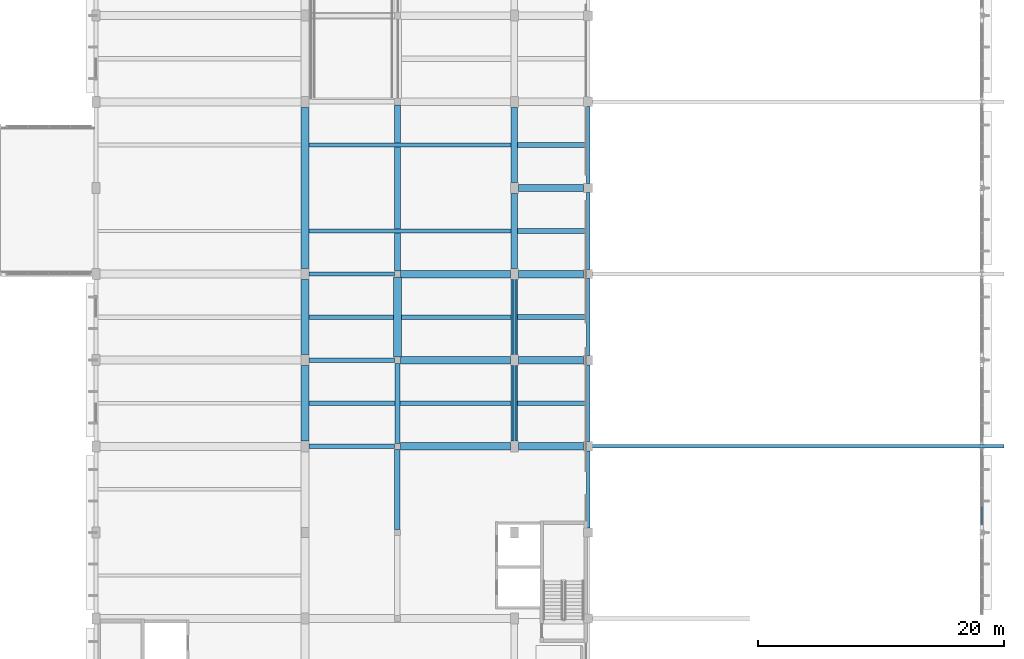
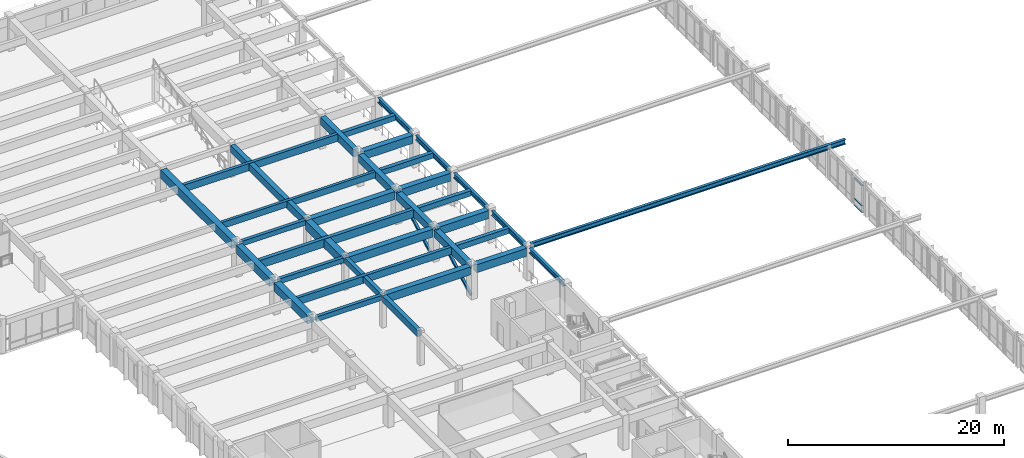
# One storey, part 34 of 98: 35 beams, 5 members, 1 element without a shape of its own.
"""IFC4 building model written with IfcOpenShell, lengths in metres."""

from ifc_helpers import new_model, si_unit, direction, frame, origin, origin_2d, place, context, subcontext, project, spatial, rectangle, i_section, extrude, material, material_profile, profile_set, type_object, element, aggregate, save


model = new_model("IFC4")

# Units and contexts
model_context = context("Model", 3, precision=1e-05, world=origin(), true_north=direction((0.0, 1.0)))
body_context = subcontext(model_context, "Body", "Model", "MODEL_VIEW")
ifc_project = project(units=[si_unit("LENGTHUNIT", "METRE"), si_unit("AREAUNIT", "SQUARE_METRE"), si_unit("VOLUMEUNIT", "CUBIC_METRE"), si_unit("PLANEANGLEUNIT", "RADIAN"), si_unit("MASSUNIT", "GRAM", prefix="KILO")], contexts=[model_context])

# Site, building, storey
site_placement = place(None, origin())
site = spatial("IfcSite", under=ifc_project, at=site_placement, CompositionType="ELEMENT")
building_placement = place(site_placement, origin())
building = spatial("IfcBuilding", under=site, at=building_placement, Name="Larkveld Mobility Hub", CompositionType="ELEMENT")
storey_placement = place(building_placement, frame((0.0, 0.0, 4.5)))
storey = spatial("IfcBuildingStorey", under=building, at=storey_placement, Name="L01", CompositionType="ELEMENT", Elevation=4.5)

# Beams
ifc_material_1 = material(Name="Precast concrete C50/60", Category="concrete")
ifc_material_profile_1 = material_profile(ifc_material_1, rectangle(XDim=0.300048828125, YDim=0.699951171875, at=origin_2d()), Name="PC DT 300x700")
ifc_profile_set_1 = profile_set([ifc_material_profile_1], Name="Precast concrete C50/60")
beam_type_1 = type_object("IfcBeamType", Name="BM-DT3070", PredefinedType="T_BEAM", material=ifc_profile_set_1)
beam_1_placement = place(storey_placement, frame((129.320068359375, 87.5, 3.320068359375), z_axis=(1.0, 0.0, 0.0), x_axis=(0.0, 1.0, 0.0)))
element("IfcBeam", 1, at=beam_1_placement, inside=storey, type_object=beam_type_1, Name="Precast Double-Tee Stem L01-1065", PredefinedType="T_BEAM", context=body_context, shape_type="SweptSolid", body=[
    extrude(rectangle(XDim=0.300048828125, YDim=0.699951171875, at=origin_2d()), origin(), (0.0, 0.0, 1.0), 16.409912109375),
])
ifc_material_profile_2 = material_profile(ifc_material_1, rectangle(XDim=0.340087890625, YDim=0.800048828125, at=origin_2d()), Name="PC DT 340x800")
ifc_profile_set_2 = profile_set([ifc_material_profile_2], Name="Precast concrete C50/60")
beam_type_2 = type_object("IfcBeamType", Name="BM-DT3480", PredefinedType="T_BEAM", material=ifc_profile_set_2)
for number, where, z_axis, x_axis, name in (
    (2, (129.320068359375, 73.5, 3.27001953125), (1.0, 0.0, 0.0), (0.0, 1.0, 0.0), "Precast Double-Tee Stem L01-1059"),
    (3, (129.320068359375, 94.5, 3.27001953125), (1.0, 0.0, 0.0), (0.0, 1.0, 0.0), "Precast Double-Tee Stem L01-1068"),
):
    element("IfcBeam", number, at=place(storey_placement, frame(where, z_axis=z_axis, x_axis=x_axis)), inside=storey, type_object=beam_type_2, Name=name, PredefinedType="T_BEAM", context=body_context, shape_type="SweptSolid", body=[
        extrude(rectangle(XDim=0.340087890625, YDim=0.800048828125, at=origin_2d()), origin(), (0.0, 0.0, 1.0), 16.409912109375),
    ])
ifc_material_profile_3 = material_profile(ifc_material_1, rectangle(XDim=0.3798828125, YDim=0.89990234375, at=origin_2d()), Name="PC DT 380x900")
ifc_profile_set_3 = profile_set([ifc_material_profile_3], Name="Precast concrete C50/60")
beam_type_3 = type_object("IfcBeamType", Name="BM-DT3890", PredefinedType="T_BEAM", material=ifc_profile_set_3)
beam_2_placement = place(storey_placement, frame((129.320068359375, 80.5, 3.219970703125), z_axis=(1.0, 0.0, 0.0), x_axis=(0.0, 1.0, 0.0)))
element("IfcBeam", 4, at=beam_2_placement, inside=storey, type_object=beam_type_3, Name="Precast Double-Tee Stem L01-1062", PredefinedType="T_BEAM", context=body_context, shape_type="SweptSolid", body=[
    extrude(rectangle(XDim=0.3798828125, YDim=0.89990234375, at=origin_2d()), origin(), (0.0, 0.0, 1.0), 16.409912109375),
])
ifc_material_profile_4 = material_profile(ifc_material_1, rectangle(XDim=0.64990234375, YDim=0.949951171875, at=origin_2d()), Name="PC ITB 650x950")
ifc_profile_set_4 = profile_set([ifc_material_profile_4], Name="Precast concrete C50/60")
beam_type_4 = type_object("IfcBeamType", Name="BM-ITB6595", PredefinedType="T_BEAM", material=ifc_profile_set_4)
for number, where, z_axis, x_axis, name in (
    (5, (129.0, 70.449951171875, 3.18505859375), (0.0, 1.0, 0.0), (-1.0, 0.0, 0.0), "Primary N-S Girder L01-0420"),
    (6, (129.0, 77.449951171875, 3.18505859375), (0.0, 1.0, 0.0), (-1.0, 0.0, 0.0), "Primary N-S Girder L01-0421"),
):
    element("IfcBeam", number, at=place(storey_placement, frame(where, z_axis=z_axis, x_axis=x_axis)), inside=storey, type_object=beam_type_4, Name=name, PredefinedType="T_BEAM", context=body_context, shape_type="SweptSolid", body=[
        extrude(rectangle(XDim=0.64990234375, YDim=0.949951171875, at=origin_2d()), origin(), (0.0, 0.0, 1.0), 6.10009765625),
    ])
beam_3_placement = place(storey_placement, frame((129.0, 84.449951171875, 3.18505859375), z_axis=(0.0, 1.0, 0.0), x_axis=(-1.0, 0.0, 0.0)))
element("IfcBeam", 7, at=beam_3_placement, inside=storey, type_object=beam_type_4, Name="Primary N-S Girder L01-0422", PredefinedType="T_BEAM", context=body_context, shape_type="SweptSolid", body=[
    extrude(rectangle(XDim=0.64990234375, YDim=0.949951171875, at=origin_2d()), origin(), (0.0, 0.0, 1.0), 13.10009765625),
])
ifc_material_2 = material(Name="Concrete C40/50", Category="concrete")
ifc_material_profile_5 = material_profile(ifc_material_2, rectangle(XDim=0.35009765625, YDim=0.550048828125, at=origin_2d()), Name="RC BM 350x550")
ifc_profile_set_5 = profile_set([ifc_material_profile_5], Name="Concrete C40/50")
beam_type_5 = type_object("IfcBeamType", Name="BM-RC3555", PredefinedType="BEAM", material=ifc_profile_set_5)
for number, where, z_axis, x_axis, name in (
    (8, (129.324951171875, 70.0, 3.385009765625), (1.0, 0.0, 0.0), (0.0, 1.0, 0.0), "Primary E-W Girder L01-0275"),
    (9, (129.324951171875, 77.0, 3.385009765625), (1.0, 0.0, 0.0), (0.0, 1.0, 0.0), "Primary E-W Girder L01-0279"),
    (10, (129.324951171875, 84.0, 3.385009765625), (1.0, 0.0, 0.0), (0.0, 1.0, 0.0), "Primary E-W Girder L01-0285"),
):
    element("IfcBeam", number, at=place(storey_placement, frame(where, z_axis=z_axis, x_axis=x_axis)), inside=storey, type_object=beam_type_5, Name=name, PredefinedType="BEAM", context=body_context, shape_type="SweptSolid", body=[
        extrude(rectangle(XDim=0.35009765625, YDim=0.550048828125, at=origin_2d()), origin(), (0.0, 0.0, 1.0), 6.925048828125),
    ])
ifc_material_profile_6 = material_profile(ifc_material_2, rectangle(XDim=0.39990234375, YDim=0.60009765625, at=origin_2d()), Name="RC BM 400x600")
ifc_profile_set_6 = profile_set([ifc_material_profile_6], Name="Concrete C40/50")
beam_type_6 = type_object("IfcBeamType", Name="BM-RC4060", PredefinedType="BEAM", material=ifc_profile_set_6)
beam_4_placement = place(storey_placement, frame((136.5, 70.25, 3.360107421875), z_axis=(0.0, 1.0, 0.0), x_axis=(-1.0, 0.0, 0.0)))
element("IfcBeam", 11, at=beam_4_placement, inside=storey, type_object=beam_type_6, Name="Primary N-S Girder L01-0429", PredefinedType="BEAM", context=body_context, shape_type="SweptSolid", body=[
    extrude(rectangle(XDim=0.39990234375, YDim=0.60009765625, at=origin_2d()), origin(), (0.0, 0.0, 1.0), 6.5),
])
for number, where, z_axis, x_axis, name in (
    (12, (146.27001953125, 73.5, 3.3701171875), (1.0, 0.0, 0.0), (0.0, 1.0, 0.0), "Concourse Spine Joist L01-1060"),
    (13, (146.27001953125, 80.5, 3.3701171875), (1.0, 0.0, 0.0), (0.0, 1.0, 0.0), "Concourse Spine Joist L01-1063"),
    (14, (146.27001953125, 87.5, 3.3701171875), (1.0, 0.0, 0.0), (0.0, 1.0, 0.0), "Concourse Spine Joist L01-1066"),
    (15, (146.27001953125, 94.5, 3.3701171875), (1.0, 0.0, 0.0), (0.0, 1.0, 0.0), "Concourse Spine Joist L01-1069"),
):
    element("IfcBeam", number, at=place(storey_placement, frame(where, z_axis=z_axis, x_axis=x_axis)), inside=storey, type_object=beam_type_6, Name=name, PredefinedType="BEAM", context=body_context, shape_type="SweptSolid", body=[
        extrude(rectangle(XDim=0.39990234375, YDim=0.60009765625, at=origin_2d()), origin(), (0.0, 0.0, 1.0), 5.5849609375),
    ])
ifc_material_profile_7 = material_profile(ifc_material_2, rectangle(XDim=0.449951171875, YDim=0.699951171875, at=origin_2d()), Name="RC BM 450x700")
ifc_profile_set_7 = profile_set([ifc_material_profile_7], Name="Concrete C40/50")
beam_type_7 = type_object("IfcBeamType", Name="BM-RC4570", PredefinedType="BEAM", material=ifc_profile_set_7)
beam_5_placement = place(storey_placement, frame((136.5, 63.25, 3.31005859375), z_axis=(0.0, 1.0, 0.0), x_axis=(-1.0, 0.0, 0.0)))
element("IfcBeam", 16, at=beam_5_placement, inside=storey, type_object=beam_type_7, Name="Ramp Edge Girder L01-0483", PredefinedType="BEAM", context=body_context, shape_type="SweptSolid", body=[
    extrude(rectangle(XDim=0.449951171875, YDim=0.699951171875, at=origin_2d()), origin(), (0.0, 0.0, 1.0), 6.5),
])
ifc_material_profile_8 = material_profile(ifc_material_2, rectangle(XDim=0.5, YDim=0.800048828125, at=origin_2d()), Name="RC BM 500x800")
ifc_profile_set_8 = profile_set([ifc_material_profile_8], Name="Concrete C40/50")
beam_type_8 = type_object("IfcBeamType", Name="BM-RC5080", PredefinedType="BEAM", material=ifc_profile_set_8)
beam_6_placement = place(storey_placement, frame((136.5, 84.25, 3.260009765625), z_axis=(0.0, 1.0, 0.0), x_axis=(-1.0, 0.0, 0.0)))
element("IfcBeam", 17, at=beam_6_placement, inside=storey, type_object=beam_type_8, Name="Primary N-S Girder L01-0431", PredefinedType="BEAM", context=body_context, shape_type="SweptSolid", body=[
    extrude(rectangle(XDim=0.5, YDim=0.800048828125, at=origin_2d()), origin(), (0.0, 0.0, 1.0), 13.5),
])
ifc_material_profile_9 = material_profile(ifc_material_2, rectangle(XDim=0.550048828125, YDim=0.85009765625, at=origin_2d()), Name="RC BM 550x850")
ifc_profile_set_9 = profile_set([ifc_material_profile_9], Name="Concrete C40/50")
beam_type_9 = type_object("IfcBeamType", Name="BM-RC5585", PredefinedType="BEAM", material=ifc_profile_set_9)
for number, where, z_axis, x_axis, name in (
    (18, (146.0, 70.449951171875, 3.235107421875), (0.0, 1.0, 0.0), (-1.0, 0.0, 0.0), "Primary N-S Girder L01-0439"),
    (19, (146.0, 77.449951171875, 3.235107421875), (0.0, 1.0, 0.0), (-1.0, 0.0, 0.0), "Primary N-S Girder L01-0440"),
    (20, (146.0, 84.449951171875, 3.235107421875), (0.0, 1.0, 0.0), (-1.0, 0.0, 0.0), "Primary N-S Girder L01-0441"),
    (21, (146.0, 91.449951171875, 3.235107421875), (0.0, 1.0, 0.0), (-1.0, 0.0, 0.0), "Primary N-S Girder L01-0442"),
):
    element("IfcBeam", number, at=place(storey_placement, frame(where, z_axis=z_axis, x_axis=x_axis)), inside=storey, type_object=beam_type_9, Name=name, PredefinedType="BEAM", context=body_context, shape_type="SweptSolid", body=[
        extrude(rectangle(XDim=0.550048828125, YDim=0.85009765625, at=origin_2d()), origin(), (0.0, 0.0, 1.0), 6.10009765625),
    ])
ifc_material_profile_10 = material_profile(ifc_material_2, rectangle(XDim=0.60009765625, YDim=0.89990234375, at=origin_2d()), Name="RC BM 600x900")
ifc_profile_set_10 = profile_set([ifc_material_profile_10], Name="Concrete C40/50")
beam_type_10 = type_object("IfcBeamType", Name="BM-RC6090", PredefinedType="BEAM", material=ifc_profile_set_10)
beam_7_placement = place(storey_placement, frame((136.75, 70.0, 3.2099609375), z_axis=(1.0, 0.0, 0.0), x_axis=(0.0, 1.0, 0.0)))
element("IfcBeam", 22, at=beam_7_placement, inside=storey, type_object=beam_type_10, Name="Primary E-W Girder L01-0276", PredefinedType="BEAM", context=body_context, shape_type="SweptSolid", body=[
    extrude(rectangle(XDim=0.60009765625, YDim=0.89990234375, at=origin_2d()), origin(), (0.0, 0.0, 1.0), 8.925048828125),
])
beam_8_placement = place(storey_placement, frame((146.324951171875, 70.0, 3.2099609375), z_axis=(1.0, 0.0, 0.0), x_axis=(0.0, 1.0, 0.0)))
element("IfcBeam", 23, at=beam_8_placement, inside=storey, type_object=beam_type_10, Name="Primary E-W Girder L01-0277", PredefinedType="BEAM", context=body_context, shape_type="SweptSolid", body=[
    extrude(rectangle(XDim=0.60009765625, YDim=0.89990234375, at=origin_2d()), origin(), (0.0, 0.0, 1.0), 5.300048828125),
])
beam_9_placement = place(storey_placement, frame((136.75, 77.0, 3.2099609375), z_axis=(1.0, 0.0, 0.0), x_axis=(0.0, 1.0, 0.0)))
element("IfcBeam", 24, at=beam_9_placement, inside=storey, type_object=beam_type_10, Name="Primary E-W Girder L01-0280", PredefinedType="BEAM", context=body_context, shape_type="SweptSolid", body=[
    extrude(rectangle(XDim=0.60009765625, YDim=0.89990234375, at=origin_2d()), origin(), (0.0, 0.0, 1.0), 8.925048828125),
])
beam_10_placement = place(storey_placement, frame((146.324951171875, 77.0, 3.2099609375), z_axis=(1.0, 0.0, 0.0), x_axis=(0.0, 1.0, 0.0)))
element("IfcBeam", 25, at=beam_10_placement, inside=storey, type_object=beam_type_10, Name="Primary E-W Girder L01-0281", PredefinedType="BEAM", context=body_context, shape_type="SweptSolid", body=[
    extrude(rectangle(XDim=0.60009765625, YDim=0.89990234375, at=origin_2d()), origin(), (0.0, 0.0, 1.0), 5.300048828125),
])
beam_11_placement = place(storey_placement, frame((136.75, 84.0, 3.2099609375), z_axis=(1.0, 0.0, 0.0), x_axis=(0.0, 1.0, 0.0)))
element("IfcBeam", 26, at=beam_11_placement, inside=storey, type_object=beam_type_10, Name="Primary E-W Girder L01-0286", PredefinedType="BEAM", context=body_context, shape_type="SweptSolid", body=[
    extrude(rectangle(XDim=0.60009765625, YDim=0.89990234375, at=origin_2d()), origin(), (0.0, 0.0, 1.0), 8.925048828125),
])
for number, where, z_axis, x_axis, name in (
    (27, (146.324951171875, 84.0, 3.2099609375), (1.0, 0.0, 0.0), (0.0, 1.0, 0.0), "Primary E-W Girder L01-0287"),
    (28, (146.324951171875, 91.0, 3.2099609375), (1.0, 0.0, 0.0), (0.0, 1.0, 0.0), "Primary E-W Girder L01-0288"),
):
    element("IfcBeam", number, at=place(storey_placement, frame(where, z_axis=z_axis, x_axis=x_axis)), inside=storey, type_object=beam_type_10, Name=name, PredefinedType="BEAM", context=body_context, shape_type="SweptSolid", body=[
        extrude(rectangle(XDim=0.60009765625, YDim=0.89990234375, at=origin_2d()), origin(), (0.0, 0.0, 1.0), 5.300048828125),
    ])
ifc_material_profile_11 = material_profile(ifc_material_2, rectangle(XDim=0.64990234375, YDim=1.0, at=origin_2d()), Name="RC BM 650x1000")
ifc_profile_set_11 = profile_set([ifc_material_profile_11], Name="Concrete C40/50")
beam_type_11 = type_object("IfcBeamType", Name="BM-RC65100", PredefinedType="BEAM", material=ifc_profile_set_11)
beam_12_placement = place(storey_placement, frame((136.5, 77.25, 3.159912109375), z_axis=(0.0, 1.0, 0.0), x_axis=(-1.0, 0.0, 0.0)))
element("IfcBeam", 29, at=beam_12_placement, inside=storey, type_object=beam_type_11, Name="Primary N-S Girder L01-0430", PredefinedType="BEAM", context=body_context, shape_type="SweptSolid", body=[
    extrude(rectangle(XDim=0.64990234375, YDim=1.0, at=origin_2d()), origin(), (0.0, 0.0, 1.0), 6.5),
])
ifc_material_3 = material(Name="Steel S355JR", Category="steel")
ifc_material_profile_12 = material_profile(ifc_material_3, i_section(OverallWidth=0.300048828125, OverallDepth=0.550048828125, WebThickness=0.014892578125, FlangeThickness=0.029052734375, FilletRadius=0.027099609375, at=origin_2d()), Name="HEB 550")
ifc_profile_set_12 = profile_set([ifc_material_profile_12], Name="Steel S355JR")
beam_type_12 = type_object("IfcBeamType", Name="BM-STHEB550", PredefinedType="BEAM", material=ifc_profile_set_12)
for number, where, z_axis, x_axis, name in (
    (30, (152.0, 63.375, 3.385009765625), (0.0, 1.0, 0.0), (-1.0, 0.0, 0.0), "Primary N-S Girder L01-0455"),
    (31, (152.0, 70.375, 3.385009765625), (0.0, 1.0, 0.0), (-1.0, 0.0, 0.0), "Primary N-S Girder L01-0456"),
    (32, (152.0, 77.375, 3.385009765625), (0.0, 1.0, 0.0), (-1.0, 0.0, 0.0), "Primary N-S Girder L01-0457"),
    (33, (152.0, 84.375, 3.385009765625), (0.0, 1.0, 0.0), (-1.0, 0.0, 0.0), "Primary N-S Girder L01-0458"),
    (34, (152.0, 91.375, 3.385009765625), (0.0, 1.0, 0.0), (-1.0, 0.0, 0.0), "Primary N-S Girder L01-0459"),
):
    element("IfcBeam", number, at=place(storey_placement, frame(where, z_axis=z_axis, x_axis=x_axis)), inside=storey, type_object=beam_type_12, Name=name, PredefinedType="BEAM", context=body_context, shape_type="SweptSolid", body=[
        extrude(i_section(OverallWidth=0.300048828125, OverallDepth=0.550048828125, WebThickness=0.014892578125, FlangeThickness=0.029052734375, FilletRadius=0.027099609375, at=origin_2d()), origin(), (0.0, 0.0, 1.0), 6.25),
    ])
beam_13_placement = place(storey_placement, frame((152.18994140625, 70.0, 3.625), z_axis=(1.0, 0.0, 0.0), x_axis=(0.0, 1.0, 0.0)))
element("IfcBeam", 35, at=beam_13_placement, inside=storey, type_object=beam_type_12, Name="Sawtooth Valley Tie Girder T4 L01-1739", PredefinedType="BEAM", context=body_context, shape_type="SweptSolid", body=[
    extrude(i_section(OverallWidth=0.300048828125, OverallDepth=0.550048828125, WebThickness=0.014892578125, FlangeThickness=0.029052734375, FilletRadius=0.027099609375, at=origin_2d()), origin(), (0.0, 0.0, 1.0), 33.610107421875),
])

# Curtain wall, members
ifc_material_4 = material(Name="Anodised aluminium 6063-T6", Category="aluminium")
curtain_wall_type = type_object("IfcCurtainWallType", Name="CW-SYS-07", PredefinedType="NOTDEFINED", material=ifc_material_4)
curtain_wall_placement = place(storey_placement, origin())
curtain_wall = element("IfcCurtainWall", 36, at=curtain_wall_placement, inside=storey, type_object=curtain_wall_type, Name="Bus Hall Upper East Glazing B3 CW-055", PredefinedType="NOTDEFINED")
ifc_material_profile_13 = material_profile(ifc_material_4, rectangle(XDim=0.169921875, YDim=0.050048828125, at=origin_2d()), Name="ALU TRAN 50x170")
ifc_profile_set_13 = profile_set([ifc_material_profile_13], Name="Anodised aluminium 6063-T6")
member_type_1 = type_object("IfcMemberType", Name="CW-TRN-03", PredefinedType="USERDEFINED", material=ifc_profile_set_13)
member_1_placement = place(storey_placement, frame((184.0, 63.660888671875, 0.030029296875), z_axis=(0.0, 1.0, 0.0), x_axis=(-1.0, 0.0, 0.0)))
member_1 = element("IfcMember", 37, at=member_1_placement, type_object=member_type_1, Name="CW07 transom 1.1", ObjectType="TRANSOM", PredefinedType="USERDEFINED", context=body_context, shape_type="SweptSolid", body=[
    extrude(rectangle(XDim=0.169921875, YDim=0.050048828125, at=origin_2d()), origin(), (0.0, 0.0, 1.0), 1.4560546875),
])
member_2_placement = place(storey_placement, frame((184.0, 63.660888671875, 0.75), z_axis=(0.0, 1.0, 0.0), x_axis=(-1.0, 0.0, 0.0)))
member_2 = element("IfcMember", 38, at=member_2_placement, type_object=member_type_1, Name="CW07 transom 1.2", ObjectType="TRANSOM", PredefinedType="USERDEFINED", context=body_context, shape_type="SweptSolid", body=[
    extrude(rectangle(XDim=0.169921875, YDim=0.050048828125, at=origin_2d()), origin(), (0.0, 0.0, 1.0), 1.4560546875),
])
member_3_placement = place(storey_placement, frame((184.0, 63.660888671875, 3.077880859375), z_axis=(0.0, 1.0, 0.0), x_axis=(-1.0, 0.0, 0.0)))
member_3 = element("IfcMember", 39, at=member_3_placement, type_object=member_type_1, Name="CW07 transom 1.3", ObjectType="TRANSOM", PredefinedType="USERDEFINED", context=body_context, shape_type="SweptSolid", body=[
    extrude(rectangle(XDim=0.169921875, YDim=0.050048828125, at=origin_2d()), origin(), (0.0, 0.0, 1.0), 1.4560546875),
])
aggregate(curtain_wall, [member_1, member_2, member_3])

# Members
ifc_material_profile_14 = material_profile(ifc_material_3, i_section(OverallWidth=0.239990234375, OverallDepth=0.239990234375, WebThickness=0.010009765625, FlangeThickness=0.01708984375, FilletRadius=0.02099609375, at=origin_2d()), Name="HEB 240")
ifc_profile_set_14 = profile_set([ifc_material_profile_14], Name="Steel S355JR")
member_type_2 = type_object("IfcMemberType", Name="MB-BR-HEB240", PredefinedType="BRACE", material=ifc_profile_set_14)
for number, where, z_axis, x_axis, name in (
    (40, (146.0, 70.179931640625, 0.10009765625), (0.0, 0.876336971254, 0.481698570492), (-1.0, 0.0, 0.0), "Lateral Diagonal Brace LB-02"),
    (41, (146.0, 77.179931640625, 0.10009765625), (0.0, 0.876336971254, 0.481698570492), (-1.0, 0.0, 0.0), "Lateral Diagonal Brace LB-04"),
):
    element("IfcMember", number, at=place(storey_placement, frame(where, z_axis=z_axis, x_axis=x_axis)), inside=storey, type_object=member_type_2, Name=name, PredefinedType="BRACE", context=body_context, shape_type="SweptSolid", body=[
        extrude(i_section(OverallWidth=0.239990234375, OverallDepth=0.239990234375, WebThickness=0.010009765625, FlangeThickness=0.01708984375, FilletRadius=0.02099609375, at=origin_2d()), origin(), (0.0, 0.0, 1.0), 7.5771484375),
    ])

save(model, "model.ifc")
